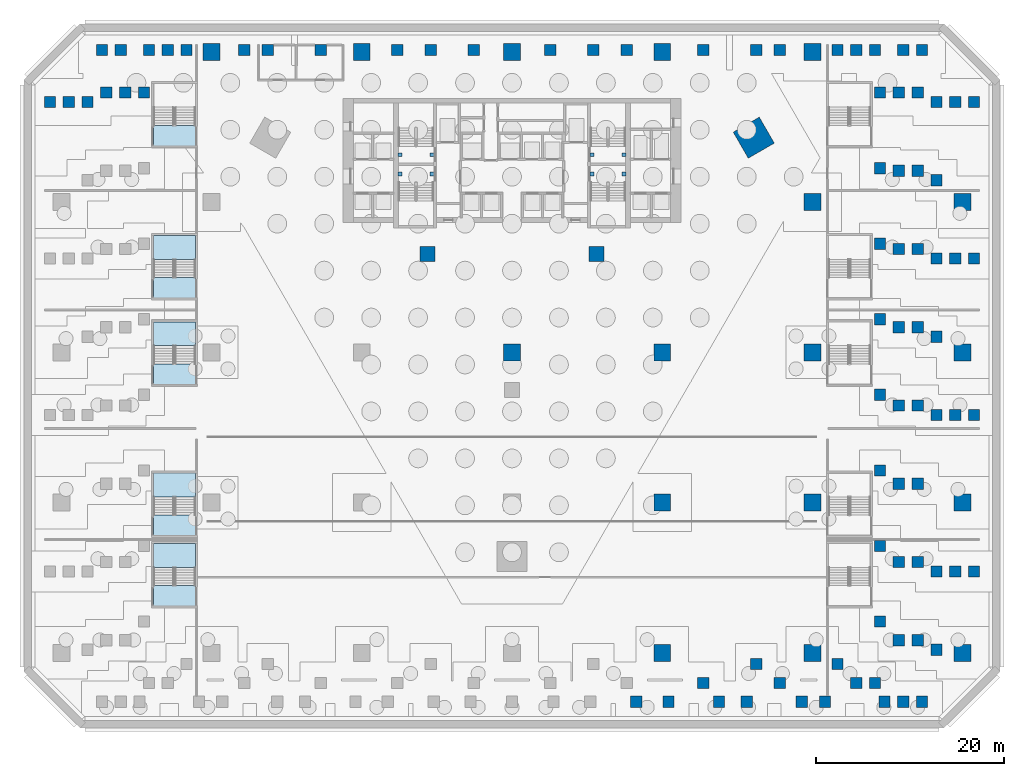
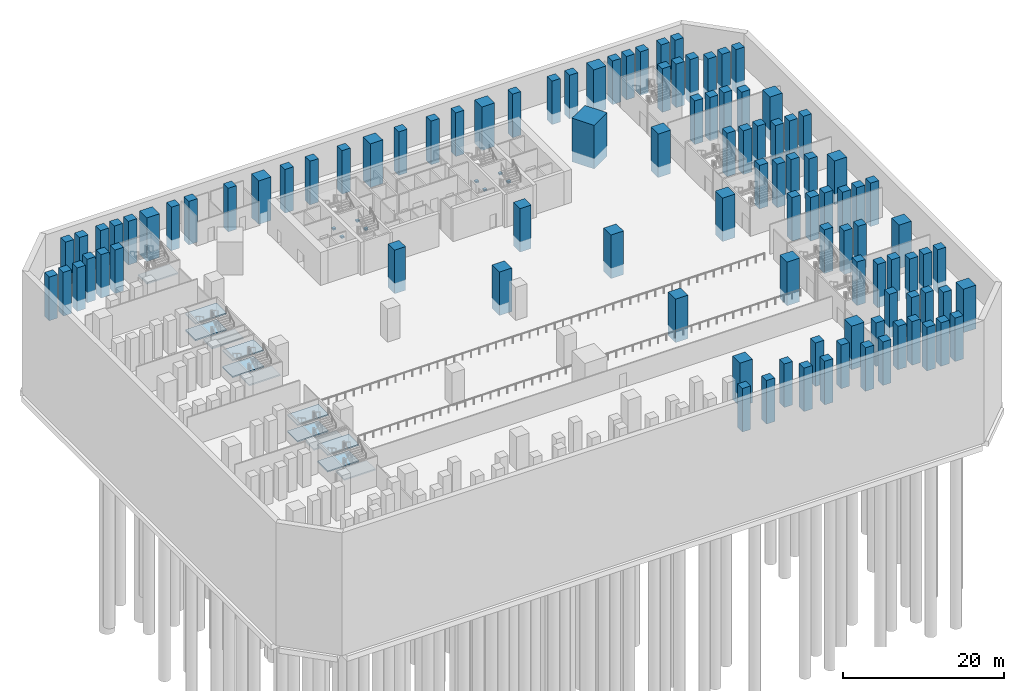
# One storey, part 3 of 27: 102 columns, 13 slabs, 8 beams, 5 elements without a shape of their own.
"""IFC4 building model written with IfcOpenShell, lengths in metres."""

from ifc_helpers import new_model, si_unit, direction, frame, origin, origin_2d, place, context, subcontext, project, spatial, polyline, rectangle, outline, extrude, material, layer, layer_set, material_profile, profile_set, type_object, element, aggregate, save


model = new_model("IFC4")

# Units and contexts
model_context = context("Model", 3, precision=1e-05, world=origin(), true_north=direction((0.0, 1.0)))
body_context = subcontext(model_context, "Body", "Model", "MODEL_VIEW")
ifc_project = project(units=[si_unit("LENGTHUNIT", "METRE"), si_unit("AREAUNIT", "SQUARE_METRE"), si_unit("VOLUMEUNIT", "CUBIC_METRE"), si_unit("PLANEANGLEUNIT", "RADIAN"), si_unit("MASSUNIT", "GRAM", prefix="KILO")], contexts=[model_context])

# Site, building, storey
site_placement = place(None, origin())
site = spatial("IfcSite", under=ifc_project, at=site_placement, CompositionType="ELEMENT")
building_placement = place(site_placement, origin())
building = spatial("IfcBuilding", under=site, at=building_placement, Name="Calabash Gate Tower", CompositionType="ELEMENT")
storey_placement = place(building_placement, frame((0.0, 0.0, -10.0)))
storey = spatial("IfcBuildingStorey", under=building, at=storey_placement, Name="B2", CompositionType="ELEMENT", Elevation=-10.0)

# Columns
ifc_material_1 = material(Name="Concrete C80/95", Category="concrete")
ifc_material_profile_1 = material_profile(ifc_material_1, rectangle(XDim=1.60009765625, YDim=1.60009765625, at=origin_2d()))
ifc_profile_set_1 = profile_set([ifc_material_profile_1], Name="Concrete C80/95")
column_type_1 = type_object("IfcColumnType", Name="Interior column RC 1600x1600 Concrete C80/95", PredefinedType="COLUMN", material=ifc_profile_set_1)
for number, where, z_axis, x_axis, name in (
    (1, (-9.0, 2.5, -1.60009765625), (0.0, 0.0, 1.0), (1.0, 0.0, 0.0), "Interior column B2 I0"),
    (2, (9.0, 2.5, -1.60009765625), (0.0, 0.0, 1.0), (1.0, 0.0, 0.0), "Interior column B2 I1"),
):
    element("IfcColumn", number, at=place(storey_placement, frame(where, z_axis=z_axis, x_axis=x_axis)), inside=storey, type_object=column_type_1, Name=name, PredefinedType="COLUMN", context=body_context, shape_type="SweptSolid", body=[
        extrude(rectangle(XDim=1.60009765625, YDim=1.60009765625, at=origin_2d()), origin(), (0.0, 0.0, 1.0), 6.60009765625),
    ])
ifc_material_2 = material(Name="Concrete C80/95", Category="concrete")
ifc_material_profile_2 = material_profile(ifc_material_2, rectangle(XDim=3.199951171875, YDim=3.199951171875, at=origin_2d()))
ifc_profile_set_2 = profile_set([ifc_material_profile_2], Name="Concrete C80/95")
column_type_2 = type_object("IfcColumnType", Name="Mega column RC 3200x3200 Concrete C80/95", PredefinedType="COLUMN", material=ifc_profile_set_2)
column_placement = place(storey_placement, frame((25.75, 14.866943359375, -1.60009765625), z_axis=(0.0, 0.0, 1.0), x_axis=(-0.866025386331, -0.50000003023, 0.0)))
element("IfcColumn", 3, at=column_placement, inside=storey, type_object=column_type_2, Name="Mega column B2 NE", PredefinedType="COLUMN", context=body_context, shape_type="SweptSolid", body=[
    extrude(rectangle(XDim=3.199951171875, YDim=3.199951171875, at=origin_2d()), origin(), (0.0, 0.0, 1.0), 6.60009765625),
])
ifc_material_3 = material(Name="Concrete C80/95", Category="concrete")
ifc_material_profile_3 = material_profile(ifc_material_3, rectangle(XDim=1.800048828125, YDim=1.800048828125, at=origin_2d()))
ifc_profile_set_3 = profile_set([ifc_material_profile_3], Name="Concrete C80/95")
column_type_3 = type_object("IfcColumnType", Name="Podium column RC 1800x1800 Concrete C80/95", PredefinedType="COLUMN", material=ifc_profile_set_3)
for number, where, z_axis, x_axis, name in (
    (4, (-32.0, 24.0, -1.60009765625), (0.0, 0.0, 1.0), (1.0, 0.0, 0.0), "Podium column B2 G2E"),
    (5, (-16.0, 24.0, -1.60009765625), (0.0, 0.0, 1.0), (1.0, 0.0, 0.0), "Podium column B2 G3E"),
    (6, (0.0, -8.0, -1.60009765625), (0.0, 0.0, 1.0), (1.0, 0.0, 0.0), "Podium column B2 G4C"),
    (7, (0.0, 24.0, -1.60009765625), (0.0, 0.0, 1.0), (1.0, 0.0, 0.0), "Podium column B2 G4E"),
    (8, (16.0, -40.0, -1.60009765625), (0.0, 0.0, 1.0), (1.0, 0.0, 0.0), "Podium column B2 G5A"),
    (9, (16.0, -24.0, -1.60009765625), (0.0, 0.0, 1.0), (1.0, 0.0, 0.0), "Podium column B2 G5B"),
    (10, (16.0, -8.0, -1.60009765625), (0.0, 0.0, 1.0), (1.0, 0.0, 0.0), "Podium column B2 G5C"),
    (11, (16.0, 24.0, -1.60009765625), (0.0, 0.0, 1.0), (1.0, 0.0, 0.0), "Podium column B2 G5E"),
    (12, (32.0, -40.0, -1.60009765625), (0.0, 0.0, 1.0), (1.0, 0.0, 0.0), "Podium column B2 G6A"),
    (13, (32.0, -24.0, -1.60009765625), (0.0, 0.0, 1.0), (1.0, 0.0, 0.0), "Podium column B2 G6B"),
    (14, (32.0, -8.0, -1.60009765625), (0.0, 0.0, 1.0), (1.0, 0.0, 0.0), "Podium column B2 G6C"),
    (15, (32.0, 8.0, -1.60009765625), (0.0, 0.0, 1.0), (1.0, 0.0, 0.0), "Podium column B2 G6D"),
    (16, (32.0, 24.0, -1.60009765625), (0.0, 0.0, 1.0), (1.0, 0.0, 0.0), "Podium column B2 G6E"),
    (17, (48.0, -40.0, -1.60009765625), (0.0, 0.0, 1.0), (1.0, 0.0, 0.0), "Podium column B2 G7A"),
    (18, (48.0, -24.0, -1.60009765625), (0.0, 0.0, 1.0), (1.0, 0.0, 0.0), "Podium column B2 G7B"),
    (19, (48.0, -8.0, -1.60009765625), (0.0, 0.0, 1.0), (1.0, 0.0, 0.0), "Podium column B2 G7C"),
    (20, (48.0, 8.0, -1.60009765625), (0.0, 0.0, 1.0), (1.0, 0.0, 0.0), "Podium column B2 G7D"),
):
    element("IfcColumn", number, at=place(storey_placement, frame(where, z_axis=z_axis, x_axis=x_axis)), inside=storey, type_object=column_type_3, Name=name, PredefinedType="COLUMN", context=body_context, shape_type="SweptSolid", body=[
        extrude(rectangle(XDim=1.800048828125, YDim=1.800048828125, at=origin_2d()), origin(), (0.0, 0.0, 1.0), 6.60009765625),
    ])
ifc_material_4 = material(Name="Concrete C80/95", Category="concrete")
ifc_material_profile_4 = material_profile(ifc_material_4, rectangle(XDim=1.199951171875, YDim=1.199951171875, at=origin_2d()))
ifc_profile_set_4 = profile_set([ifc_material_profile_4], Name="Concrete C80/95")
column_type_4 = type_object("IfcColumnType", Name="Podium edge column RC 1200x1200 Concrete C80/95", PredefinedType="COLUMN", material=ifc_profile_set_4)
for number, where, z_axis, x_axis, name in (
    (21, (-39.199951171875, 19.6689453125, -1.60009765625), (0.0, 0.0, 1.0), (1.0, 0.0, 0.0), "Podium edge column B2 E03"),
    (22, (-34.6689453125, 24.199951171875, -1.60009765625), (0.0, 0.0, 1.0), (1.0, 0.0, 0.0), "Podium edge column B2 E04"),
    (23, (34.6689453125, 24.199951171875, -1.60009765625), (0.0, 0.0, 1.0), (1.0, 0.0, 0.0), "Podium edge column B2 E05"),
    (24, (39.199951171875, 19.6689453125, -1.60009765625), (0.0, 0.0, 1.0), (1.0, 0.0, 0.0), "Podium edge column B2 E06"),
    (25, (39.199951171875, -36.6689453125, -1.60009765625), (0.0, 0.0, 1.0), (1.0, 0.0, 0.0), "Podium edge column B2 E07"),
    (26, (34.6689453125, -41.199951171875, -1.60009765625), (0.0, 0.0, 1.0), (1.0, 0.0, 0.0), "Podium edge column B2 E08"),
    (27, (-26.001953125, 24.199951171875, -1.60009765625), (0.0, 0.0, 1.0), (1.0, 0.0, 0.0), "Podium edge column B2 E15"),
    (28, (-8.6669921875, 24.199951171875, -1.60009765625), (0.0, 0.0, 1.0), (1.0, 0.0, 0.0), "Podium edge column B2 E16"),
    (29, (8.6669921875, 24.199951171875, -1.60009765625), (0.0, 0.0, 1.0), (1.0, 0.0, 0.0), "Podium edge column B2 E17"),
    (30, (26.001953125, 24.199951171875, -1.60009765625), (0.0, 0.0, 1.0), (1.0, 0.0, 0.0), "Podium edge column B2 E18"),
    (31, (39.199951171875, 11.6201171875, -1.60009765625), (0.0, 0.0, 1.0), (1.0, 0.0, 0.0), "Podium edge column B2 E19"),
    (32, (39.199951171875, 3.572021484375, -1.60009765625), (0.0, 0.0, 1.0), (1.0, 0.0, 0.0), "Podium edge column B2 E20"),
    (33, (39.199951171875, -4.47607421875, -1.60009765625), (0.0, 0.0, 1.0), (1.0, 0.0, 0.0), "Podium edge column B2 E21"),
    (34, (39.199951171875, -12.52392578125, -1.60009765625), (0.0, 0.0, 1.0), (1.0, 0.0, 0.0), "Podium edge column B2 E22"),
    (35, (39.199951171875, -20.572021484375, -1.60009765625), (0.0, 0.0, 1.0), (1.0, 0.0, 0.0), "Podium edge column B2 E23"),
    (36, (39.199951171875, -28.6201171875, -1.60009765625), (0.0, 0.0, 1.0), (1.0, 0.0, 0.0), "Podium edge column B2 E24"),
    (37, (26.001953125, -41.199951171875, -1.60009765625), (0.0, 0.0, 1.0), (1.0, 0.0, 0.0), "Podium edge column B2 E25"),
    (38, (-41.199951171875, 19.6689453125, -1.60009765625), (0.0, 0.0, 1.0), (1.0, 0.0, 0.0), "Podium edge column B2 E31"),
    (39, (-36.6689453125, 24.199951171875, -1.60009765625), (0.0, 0.0, 1.0), (1.0, 0.0, 0.0), "Podium edge column B2 E32"),
    (40, (36.6689453125, 24.199951171875, -1.60009765625), (0.0, 0.0, 1.0), (1.0, 0.0, 0.0), "Podium edge column B2 E33"),
    (41, (41.199951171875, 19.6689453125, -1.60009765625), (0.0, 0.0, 1.0), (1.0, 0.0, 0.0), "Podium edge column B2 E34"),
    (42, (41.199951171875, -38.6689453125, -1.60009765625), (0.0, 0.0, 1.0), (1.0, 0.0, 0.0), "Podium edge column B2 E35"),
    (43, (36.6689453125, -43.199951171875, -1.60009765625), (0.0, 0.0, 1.0), (1.0, 0.0, 0.0), "Podium edge column B2 E36"),
    (44, (-28.52001953125, 24.199951171875, -1.60009765625), (0.0, 0.0, 1.0), (1.0, 0.0, 0.0), "Podium edge column B2 E43"),
    (45, (-20.3720703125, 24.199951171875, -1.60009765625), (0.0, 0.0, 1.0), (1.0, 0.0, 0.0), "Podium edge column B2 E44"),
    (46, (-12.222900390625, 24.199951171875, -1.60009765625), (0.0, 0.0, 1.0), (1.0, 0.0, 0.0), "Podium edge column B2 E45"),
    (47, (-4.073974609375, 24.199951171875, -1.60009765625), (0.0, 0.0, 1.0), (1.0, 0.0, 0.0), "Podium edge column B2 E46"),
    (48, (4.073974609375, 24.199951171875, -1.60009765625), (0.0, 0.0, 1.0), (1.0, 0.0, 0.0), "Podium edge column B2 E47"),
    (49, (12.222900390625, 24.199951171875, -1.60009765625), (0.0, 0.0, 1.0), (1.0, 0.0, 0.0), "Podium edge column B2 E48"),
    (50, (20.3720703125, 24.199951171875, -1.60009765625), (0.0, 0.0, 1.0), (1.0, 0.0, 0.0), "Podium edge column B2 E49"),
    (51, (28.52001953125, 24.199951171875, -1.60009765625), (0.0, 0.0, 1.0), (1.0, 0.0, 0.0), "Podium edge column B2 E50"),
    (52, (41.199951171875, 11.3369140625, -1.60009765625), (0.0, 0.0, 1.0), (1.0, 0.0, 0.0), "Podium edge column B2 E51"),
    (53, (41.199951171875, 3.0009765625, -1.60009765625), (0.0, 0.0, 1.0), (1.0, 0.0, 0.0), "Podium edge column B2 E52"),
    (54, (41.199951171875, -5.3330078125, -1.60009765625), (0.0, 0.0, 1.0), (1.0, 0.0, 0.0), "Podium edge column B2 E53"),
    (55, (41.199951171875, -13.6669921875, -1.60009765625), (0.0, 0.0, 1.0), (1.0, 0.0, 0.0), "Podium edge column B2 E54"),
    (56, (41.199951171875, -22.0009765625, -1.60009765625), (0.0, 0.0, 1.0), (1.0, 0.0, 0.0), "Podium edge column B2 E55"),
    (57, (41.199951171875, -30.3330078125, -1.60009765625), (0.0, 0.0, 1.0), (1.0, 0.0, 0.0), "Podium edge column B2 E56"),
    (58, (28.52001953125, -43.199951171875, -1.60009765625), (0.0, 0.0, 1.0), (1.0, 0.0, 0.0), "Podium edge column B2 E57"),
    (59, (20.3720703125, -43.199951171875, -1.60009765625), (0.0, 0.0, 1.0), (1.0, 0.0, 0.0), "Podium edge column B2 E58"),
    (60, (-43.199951171875, 19.6689453125, -1.60009765625), (0.0, 0.0, 1.0), (1.0, 0.0, 0.0), "Podium edge column B2 E67"),
    (61, (-38.6689453125, 24.199951171875, -1.60009765625), (0.0, 0.0, 1.0), (1.0, 0.0, 0.0), "Podium edge column B2 E68"),
    (62, (38.6689453125, 24.199951171875, -1.60009765625), (0.0, 0.0, 1.0), (1.0, 0.0, 0.0), "Podium edge column B2 E69"),
    (63, (43.199951171875, 19.6689453125, -1.60009765625), (0.0, 0.0, 1.0), (1.0, 0.0, 0.0), "Podium edge column B2 E70"),
    (64, (43.199951171875, -38.6689453125, -1.60009765625), (0.0, 0.0, 1.0), (1.0, 0.0, 0.0), "Podium edge column B2 E71"),
    (65, (38.6689453125, -43.199951171875, -1.60009765625), (0.0, 0.0, 1.0), (1.0, 0.0, 0.0), "Podium edge column B2 E72"),
    (66, (43.199951171875, 11.3369140625, -1.60009765625), (0.0, 0.0, 1.0), (1.0, 0.0, 0.0), "Podium edge column B2 E79"),
    (67, (43.199951171875, 3.0009765625, -1.60009765625), (0.0, 0.0, 1.0), (1.0, 0.0, 0.0), "Podium edge column B2 E80"),
    (68, (43.199951171875, -5.3330078125, -1.60009765625), (0.0, 0.0, 1.0), (1.0, 0.0, 0.0), "Podium edge column B2 E81"),
    (69, (43.199951171875, -13.6669921875, -1.60009765625), (0.0, 0.0, 1.0), (1.0, 0.0, 0.0), "Podium edge column B2 E82"),
    (70, (43.199951171875, -22.0009765625, -1.60009765625), (0.0, 0.0, 1.0), (1.0, 0.0, 0.0), "Podium edge column B2 E83"),
    (71, (43.199951171875, -30.3330078125, -1.60009765625), (0.0, 0.0, 1.0), (1.0, 0.0, 0.0), "Podium edge column B2 E84"),
    (72, (-45.199951171875, 18.6689453125, -1.60009765625), (0.0, 0.0, 1.0), (1.0, 0.0, 0.0), "Podium edge column B2 E87"),
    (73, (45.199951171875, 18.6689453125, -1.60009765625), (0.0, 0.0, 1.0), (1.0, 0.0, 0.0), "Podium edge column B2 E88"),
    (74, (45.199951171875, -39.6689453125, -1.60009765625), (0.0, 0.0, 1.0), (1.0, 0.0, 0.0), "Podium edge column B2 E89"),
    (75, (39.6689453125, -45.199951171875, -1.60009765625), (0.0, 0.0, 1.0), (1.0, 0.0, 0.0), "Podium edge column B2 E90"),
    (76, (45.199951171875, 10.3369140625, -1.60009765625), (0.0, 0.0, 1.0), (1.0, 0.0, 0.0), "Podium edge column B2 E96"),
    (77, (45.199951171875, 2.0009765625, -1.60009765625), (0.0, 0.0, 1.0), (1.0, 0.0, 0.0), "Podium edge column B2 E97"),
    (78, (45.199951171875, -6.3330078125, -1.60009765625), (0.0, 0.0, 1.0), (1.0, 0.0, 0.0), "Podium edge column B2 E98"),
    (79, (45.199951171875, -14.6669921875, -1.60009765625), (0.0, 0.0, 1.0), (1.0, 0.0, 0.0), "Podium edge column B2 E99"),
    (80, (45.199951171875, -31.3330078125, -1.60009765625), (0.0, 0.0, 1.0), (1.0, 0.0, 0.0), "Podium edge column B2 E100"),
    (81, (30.85302734375, -45.199951171875, -1.60009765625), (0.0, 0.0, 1.0), (1.0, 0.0, 0.0), "Podium edge column B2 E101"),
    (82, (22.0380859375, -45.199951171875, -1.60009765625), (0.0, 0.0, 1.0), (1.0, 0.0, 0.0), "Podium edge column B2 E102"),
    (83, (13.222900390625, -45.199951171875, -1.60009765625), (0.0, 0.0, 1.0), (1.0, 0.0, 0.0), "Podium edge column B2 E103"),
    (84, (-47.199951171875, 18.6689453125, -1.60009765625), (0.0, 0.0, 1.0), (1.0, 0.0, 0.0), "Podium edge column B2 E110"),
    (85, (-41.6689453125, 24.199951171875, -1.60009765625), (0.0, 0.0, 1.0), (1.0, 0.0, 0.0), "Podium edge column B2 E111"),
    (86, (41.6689453125, 24.199951171875, -1.60009765625), (0.0, 0.0, 1.0), (1.0, 0.0, 0.0), "Podium edge column B2 E112"),
    (87, (47.199951171875, 18.6689453125, -1.60009765625), (0.0, 0.0, 1.0), (1.0, 0.0, 0.0), "Podium edge column B2 E113"),
    (88, (41.6689453125, -45.199951171875, -1.60009765625), (0.0, 0.0, 1.0), (1.0, 0.0, 0.0), "Podium edge column B2 E114"),
    (89, (47.199951171875, 2.0009765625, -1.60009765625), (0.0, 0.0, 1.0), (1.0, 0.0, 0.0), "Podium edge column B2 E118"),
    (90, (47.199951171875, -14.6669921875, -1.60009765625), (0.0, 0.0, 1.0), (1.0, 0.0, 0.0), "Podium edge column B2 E119"),
    (91, (47.199951171875, -31.3330078125, -1.60009765625), (0.0, 0.0, 1.0), (1.0, 0.0, 0.0), "Podium edge column B2 E120"),
    (92, (33.3369140625, -45.199951171875, -1.60009765625), (0.0, 0.0, 1.0), (1.0, 0.0, 0.0), "Podium edge column B2 E121"),
    (93, (25.0009765625, -45.199951171875, -1.60009765625), (0.0, 0.0, 1.0), (1.0, 0.0, 0.0), "Podium edge column B2 E122"),
    (94, (16.66796875, -45.199951171875, -1.60009765625), (0.0, 0.0, 1.0), (1.0, 0.0, 0.0), "Podium edge column B2 E123"),
    (95, (-49.199951171875, 18.6689453125, -1.60009765625), (0.0, 0.0, 1.0), (1.0, 0.0, 0.0), "Podium edge column B2 E131"),
    (96, (-43.6689453125, 24.199951171875, -1.60009765625), (0.0, 0.0, 1.0), (1.0, 0.0, 0.0), "Podium edge column B2 E132"),
    (97, (43.6689453125, 24.199951171875, -1.60009765625), (0.0, 0.0, 1.0), (1.0, 0.0, 0.0), "Podium edge column B2 E133"),
    (98, (49.199951171875, 18.6689453125, -1.60009765625), (0.0, 0.0, 1.0), (1.0, 0.0, 0.0), "Podium edge column B2 E134"),
    (99, (43.6689453125, -45.199951171875, -1.60009765625), (0.0, 0.0, 1.0), (1.0, 0.0, 0.0), "Podium edge column B2 E135"),
    (100, (49.199951171875, 2.0009765625, -1.60009765625), (0.0, 0.0, 1.0), (1.0, 0.0, 0.0), "Podium edge column B2 E139"),
    (101, (49.199951171875, -14.6669921875, -1.60009765625), (0.0, 0.0, 1.0), (1.0, 0.0, 0.0), "Podium edge column B2 E140"),
    (102, (49.199951171875, -31.3330078125, -1.60009765625), (0.0, 0.0, 1.0), (1.0, 0.0, 0.0), "Podium edge column B2 E141"),
):
    element("IfcColumn", number, at=place(storey_placement, frame(where, z_axis=z_axis, x_axis=x_axis)), inside=storey, type_object=column_type_4, Name=name, PredefinedType="COLUMN", context=body_context, shape_type="SweptSolid", body=[
        extrude(rectangle(XDim=1.199951171875, YDim=1.199951171875, at=origin_2d()), origin(), (0.0, 0.0, 1.0), 6.60009765625),
    ])

# Beams
ifc_material_5 = material(Name="Concrete C60/75", Category="concrete")
ifc_material_profile_5 = material_profile(ifc_material_5, rectangle(XDim=0.39990234375, YDim=0.25, at=origin_2d()))
ifc_profile_set_5 = profile_set([ifc_material_profile_5], Name="Concrete C60/75")
beam_type = type_object("IfcBeamType", Name="Landing corbel RC 400x250 Concrete C60/75", PredefinedType="BEAM", material=ifc_profile_set_5)
for number, where, z_axis, x_axis, name in (
    (103, (-12.14990234375, 13.052978515625, 2.174072265625), (1.0, 0.0, 0.0), (0.0, 1.0, 0.0), "Landing corbel ST1-B2/L2 west"),
    (104, (-8.300048828125, 13.052978515625, 2.174072265625), (-1.0, 0.0, 0.0), (0.0, -1.0, 0.0), "Landing corbel ST1-B2/L2 east"),
    (105, (-12.14990234375, 11.0029296875, 2.174072265625), (1.0, 0.0, 0.0), (0.0, 1.0, 0.0), "Landing corbel ST2-B2/L2 west"),
    (106, (-8.300048828125, 11.0029296875, 2.174072265625), (-1.0, 0.0, 0.0), (0.0, -1.0, 0.0), "Landing corbel ST2-B2/L2 east"),
    (107, (8.300048828125, 13.052978515625, 2.174072265625), (1.0, 0.0, 0.0), (0.0, 1.0, 0.0), "Landing corbel ST3-B2/L2 west"),
    (108, (12.14990234375, 13.052978515625, 2.174072265625), (-1.0, 0.0, 0.0), (0.0, -1.0, 0.0), "Landing corbel ST3-B2/L2 east"),
    (109, (8.300048828125, 11.0029296875, 2.174072265625), (1.0, 0.0, 0.0), (0.0, 1.0, 0.0), "Landing corbel ST4-B2/L2 west"),
    (110, (12.14990234375, 11.0029296875, 2.174072265625), (-1.0, 0.0, 0.0), (0.0, -1.0, 0.0), "Landing corbel ST4-B2/L2 east"),
):
    element("IfcBeam", number, at=place(storey_placement, frame(where, z_axis=z_axis, x_axis=x_axis)), inside=storey, type_object=beam_type, Name=name, PredefinedType="BEAM", context=body_context, shape_type="SweptSolid", body=[
        extrude(rectangle(XDim=0.39990234375, YDim=0.25, at=origin_2d()), origin(), (0.0, 0.0, 1.0), 0.449951171875),
    ])

# Stair, slabs
ifc_material_6 = material(Name="Concrete C40/50", Category="concrete")
stair_type = type_object("IfcStairType", Name="Public stair 32 risers of 156.2 mm", PredefinedType="HALF_TURN_STAIR", material=ifc_material_6)
stair_1_placement = place(storey_placement, origin())
stair_1 = element("IfcStair", 111, at=stair_1_placement, inside=storey, type_object=stair_type, Name="B2 Public Stair PS1", PredefinedType="HALF_TURN_STAIR")
ifc_material_7 = material(Name="Concrete C40/50", Category="concrete")
ifc_layer = layer(ifc_material_7, 0.199951171875)
ifc_layer_set = layer_set([ifc_layer], Name="Stair landing SL200")
slab_type = type_object("IfcSlabType", Name="Stair landing SL200", PredefinedType="LANDING", material=ifc_layer_set)
slab_1_placement = place(storey_placement, frame((0.0, 0.0, 1.050048828125)))
slab_1 = element("IfcSlab", 112, at=slab_1_placement, type_object=slab_type, Name="PS1 landing 1", PredefinedType="LANDING", context=body_context, shape_type="SweptSolid", body=[
    extrude(outline(polyline([(-33.699951171875, -30.886962890625), (-33.699951171875, -28.35009765625), (-38.169921875, -28.35009765625), (-38.169921875, -30.886962890625), (-33.699951171875, -30.886962890625)])), origin(), (0.0, 0.0, 1.0), 0.199951171875),
])
slab_2_placement = place(storey_placement, frame((0.0, 0.0, 2.300048828125)))
slab_2 = element("IfcSlab", 113, at=slab_2_placement, type_object=slab_type, Name="PS1 landing 2", PredefinedType="LANDING", context=body_context, shape_type="SweptSolid", body=[
    extrude(outline(polyline([(-33.699951171875, -35.0), (-33.699951171875, -32.840087890625), (-38.169921875, -32.840087890625), (-38.169921875, -35.0), (-33.699951171875, -35.0)])), origin(), (0.0, 0.0, 1.0), 0.199951171875),
])
slab_3_placement = place(storey_placement, frame((0.0, 0.0, 3.550048828125)))
slab_3 = element("IfcSlab", 114, at=slab_3_placement, type_object=slab_type, Name="PS1 landing 3", PredefinedType="LANDING", context=body_context, shape_type="SweptSolid", body=[
    extrude(outline(polyline([(-33.699951171875, -30.886962890625), (-33.699951171875, -28.35009765625), (-38.169921875, -28.35009765625), (-38.169921875, -30.886962890625), (-33.699951171875, -30.886962890625)])), origin(), (0.0, 0.0, 1.0), 0.199951171875),
])
aggregate(stair_1, [slab_1, slab_2, slab_3])

stair_2_placement = place(storey_placement, origin())
stair_2 = element("IfcStair", 115, at=stair_2_placement, inside=storey, type_object=stair_type, Name="B2 Public Stair PS2", PredefinedType="HALF_TURN_STAIR")
slab_4_placement = place(storey_placement, frame((0.0, 0.0, 1.050048828125)))
slab_4 = element("IfcSlab", 116, at=slab_4_placement, type_object=slab_type, Name="PS2 landing 1", PredefinedType="LANDING", context=body_context, shape_type="SweptSolid", body=[
    extrude(outline(polyline([(-33.699951171875, -23.386962890625), (-33.699951171875, -20.85009765625), (-38.169921875, -20.85009765625), (-38.169921875, -23.386962890625), (-33.699951171875, -23.386962890625)])), origin(), (0.0, 0.0, 1.0), 0.199951171875),
])
slab_5_placement = place(storey_placement, frame((0.0, 0.0, 2.300048828125)))
slab_5 = element("IfcSlab", 117, at=slab_5_placement, type_object=slab_type, Name="PS2 landing 2", PredefinedType="LANDING", context=body_context, shape_type="SweptSolid", body=[
    extrude(outline(polyline([(-33.699951171875, -27.5), (-33.699951171875, -25.340087890625), (-38.169921875, -25.340087890625), (-38.169921875, -27.5), (-33.699951171875, -27.5)])), origin(), (0.0, 0.0, 1.0), 0.199951171875),
])
slab_6_placement = place(storey_placement, frame((0.0, 0.0, 3.550048828125)))
slab_6 = element("IfcSlab", 118, at=slab_6_placement, type_object=slab_type, Name="PS2 landing 3", PredefinedType="LANDING", context=body_context, shape_type="SweptSolid", body=[
    extrude(outline(polyline([(-33.699951171875, -23.386962890625), (-33.699951171875, -20.85009765625), (-38.169921875, -20.85009765625), (-38.169921875, -23.386962890625), (-33.699951171875, -23.386962890625)])), origin(), (0.0, 0.0, 1.0), 0.199951171875),
])
aggregate(stair_2, [slab_4, slab_5, slab_6])

stair_3_placement = place(storey_placement, origin())
stair_3 = element("IfcStair", 119, at=stair_3_placement, inside=storey, type_object=stair_type, Name="B2 Public Stair PS3", PredefinedType="HALF_TURN_STAIR")
slab_7_placement = place(storey_placement, frame((0.0, 0.0, 1.050048828125)))
slab_7 = element("IfcSlab", 120, at=slab_7_placement, type_object=slab_type, Name="PS3 landing 1", PredefinedType="LANDING", context=body_context, shape_type="SweptSolid", body=[
    extrude(outline(polyline([(-33.699951171875, -7.287109375), (-33.699951171875, -4.75), (-38.169921875, -4.75), (-38.169921875, -7.287109375), (-33.699951171875, -7.287109375)])), origin(), (0.0, 0.0, 1.0), 0.199951171875),
])
slab_8_placement = place(storey_placement, frame((0.0, 0.0, 2.300048828125)))
slab_8 = element("IfcSlab", 121, at=slab_8_placement, type_object=slab_type, Name="PS3 landing 2", PredefinedType="LANDING", context=body_context, shape_type="SweptSolid", body=[
    extrude(outline(polyline([(-33.699951171875, -11.39990234375), (-33.699951171875, -9.239990234375), (-38.169921875, -9.239990234375), (-38.169921875, -11.39990234375), (-33.699951171875, -11.39990234375)])), origin(), (0.0, 0.0, 1.0), 0.199951171875),
])
slab_9_placement = place(storey_placement, frame((0.0, 0.0, 3.550048828125)))
slab_9 = element("IfcSlab", 122, at=slab_9_placement, type_object=slab_type, Name="PS3 landing 3", PredefinedType="LANDING", context=body_context, shape_type="SweptSolid", body=[
    extrude(outline(polyline([(-33.699951171875, -7.287109375), (-33.699951171875, -4.75), (-38.169921875, -4.75), (-38.169921875, -7.287109375), (-33.699951171875, -7.287109375)])), origin(), (0.0, 0.0, 1.0), 0.199951171875),
])
aggregate(stair_3, [slab_7, slab_8, slab_9])

stair_4_placement = place(storey_placement, origin())
stair_4 = element("IfcStair", 123, at=stair_4_placement, inside=storey, type_object=stair_type, Name="B2 Public Stair PS4", PredefinedType="HALF_TURN_STAIR")
slab_10_placement = place(storey_placement, frame((0.0, 0.0, 1.050048828125)))
slab_10 = element("IfcSlab", 124, at=slab_10_placement, type_object=slab_type, Name="PS4 landing 1", PredefinedType="LANDING", context=body_context, shape_type="SweptSolid", body=[
    extrude(outline(polyline([(-33.699951171875, 1.9130859375), (-33.699951171875, 4.449951171875), (-38.169921875, 4.449951171875), (-38.169921875, 1.9130859375), (-33.699951171875, 1.9130859375)])), origin(), (0.0, 0.0, 1.0), 0.199951171875),
])
slab_11_placement = place(storey_placement, frame((0.0, 0.0, 2.300048828125)))
slab_11 = element("IfcSlab", 125, at=slab_11_placement, type_object=slab_type, Name="PS4 landing 2", PredefinedType="LANDING", context=body_context, shape_type="SweptSolid", body=[
    extrude(outline(polyline([(-33.699951171875, -2.199951171875), (-33.699951171875, -0.0400390625), (-38.169921875, -0.0400390625), (-38.169921875, -2.199951171875), (-33.699951171875, -2.199951171875)])), origin(), (0.0, 0.0, 1.0), 0.199951171875),
])
slab_12_placement = place(storey_placement, frame((0.0, 0.0, 3.550048828125)))
slab_12 = element("IfcSlab", 126, at=slab_12_placement, type_object=slab_type, Name="PS4 landing 3", PredefinedType="LANDING", context=body_context, shape_type="SweptSolid", body=[
    extrude(outline(polyline([(-33.699951171875, 1.9130859375), (-33.699951171875, 4.449951171875), (-38.169921875, 4.449951171875), (-38.169921875, 1.9130859375), (-33.699951171875, 1.9130859375)])), origin(), (0.0, 0.0, 1.0), 0.199951171875),
])
aggregate(stair_4, [slab_10, slab_11, slab_12])

# Stair, slab
stair_5_placement = place(storey_placement, origin())
stair_5 = element("IfcStair", 127, at=stair_5_placement, inside=storey, type_object=stair_type, Name="B2 Public Stair PS5", PredefinedType="HALF_TURN_STAIR")
slab_13_placement = place(storey_placement, frame((0.0, 0.0, 2.300048828125)))
slab_13 = element("IfcSlab", 128, at=slab_13_placement, type_object=slab_type, Name="PS5 landing 2", PredefinedType="LANDING", context=body_context, shape_type="SweptSolid", body=[
    extrude(outline(polyline([(-33.699951171875, 14.0), (-33.699951171875, 16.159912109375), (-38.169921875, 16.159912109375), (-38.169921875, 14.0), (-33.699951171875, 14.0)])), origin(), (0.0, 0.0, 1.0), 0.199951171875),
])
aggregate(stair_5, [slab_13])

save(model, "model.ifc")
